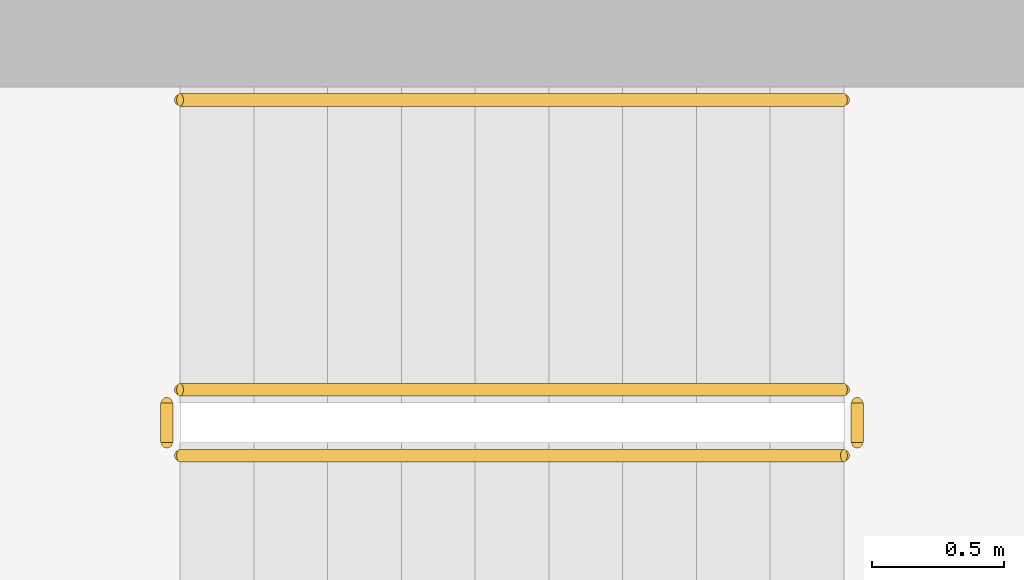
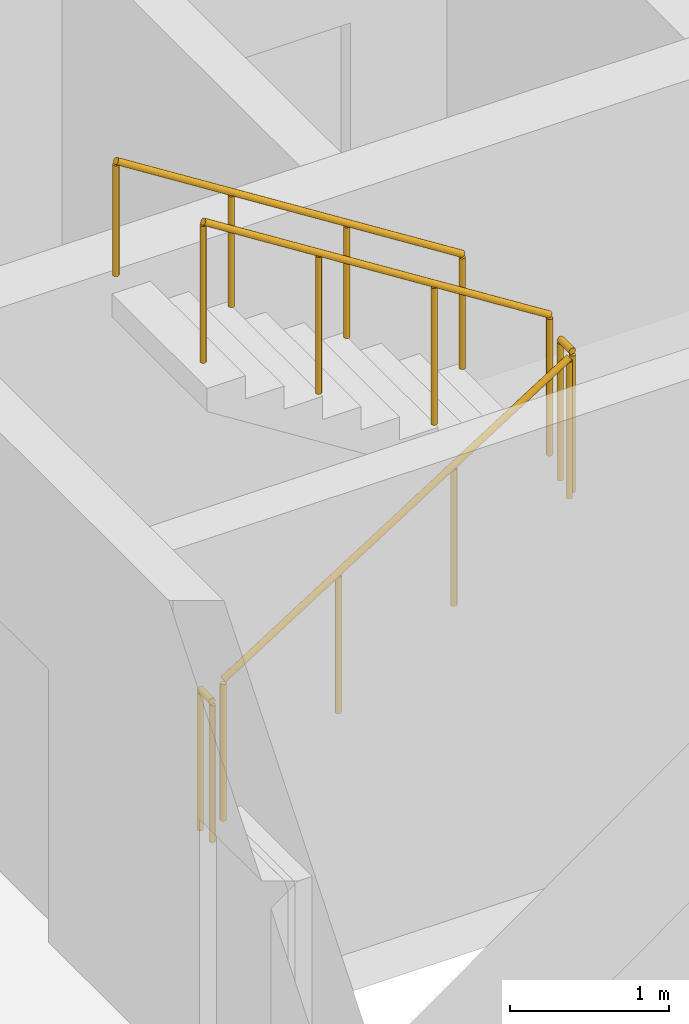
# One storey, part 12 of 14: 5 railings.
"""IFC4 building model written with IfcOpenShell, lengths in metres."""

from ifc_helpers import new_model, si_unit, direction, frame, origin, origin_2d, place, context, subcontext, project, spatial, circle, extrude, material, type_object, element, save


model = new_model("IFC4")

# Units and contexts
model_context = context("Model", 3, precision=1e-05, world=origin(), true_north=direction((0.0, 1.0)))
body_context = subcontext(model_context, "Body", "Model", "MODEL_VIEW")
ifc_project = project(units=[si_unit("LENGTHUNIT", "METRE"), si_unit("AREAUNIT", "SQUARE_METRE"), si_unit("VOLUMEUNIT", "CUBIC_METRE"), si_unit("PLANEANGLEUNIT", "RADIAN"), si_unit("MASSUNIT", "GRAM", prefix="KILO")], contexts=[model_context])

# Site, building, storey
site_placement = place(None, origin())
site = spatial("IfcSite", under=ifc_project, at=site_placement, CompositionType="ELEMENT")
building_placement = place(site_placement, origin())
building = spatial("IfcBuilding", under=site, at=building_placement, Name="Ostrand Prow Hotel Tower", CompositionType="ELEMENT")
storey_placement = place(building_placement, frame((0.0, 0.0, 299.85009765625)))
storey = spatial("IfcBuildingStorey", under=building, at=storey_placement, Name="L76", CompositionType="ELEMENT", Elevation=299.85009765625)

# Railings
ifc_material_1 = material(Name="Painted steel", Category="steel")
railing_type_1 = type_object("IfcRailingType", Name="Stair guard 1100", PredefinedType="GUARDRAIL", material=ifc_material_1)
railing_1_placement = place(storey_placement, frame((57.199951171875, -11.75, 0.177490234375)))
element("IfcRailing", 1, at=railing_1_placement, inside=storey, type_object=railing_type_1, Name="L76 ST2C stair guard 1", PredefinedType="GUARDRAIL", context=body_context, shape_type="SweptSolid", body=[
    extrude(circle(Radius=0.02392578125, at=origin_2d()), frame((0.0, 0.0, 1.076171875), z_axis=(0.84460694969, 0.0, 0.535386869969), x_axis=(0.0, 1.0, 0.0)), (0.0, 0.0, 1.0), 2.983642578125),
    extrude(circle(Radius=0.02099609375, at=origin_2d()), origin(), (0.0, 0.0, 1.0), 1.052001953125),
    extrude(circle(Radius=0.02099609375, at=origin_2d()), frame((0.840087890625, 0.0, 0.532470703125)), (0.0, 0.0, 1.0), 1.052001953125),
    extrude(circle(Radius=0.02099609375, at=origin_2d()), frame((1.679931640625, 0.0, 1.06494140625)), (0.0, 0.0, 1.0), 1.052001953125),
    extrude(circle(Radius=0.02099609375, at=origin_2d()), frame((2.52001953125, 0.0, 1.597412109375)), (0.0, 0.0, 1.0), 1.052001953125),
])
railing_2_placement = place(storey_placement, frame((59.77001953125, -11.699951171875, 1.77490234375)))
element("IfcRailing", 2, at=railing_2_placement, inside=storey, type_object=railing_type_1, Name="L76 ST2C stair guard 2", PredefinedType="GUARDRAIL", context=body_context, shape_type="SweptSolid", body=[
    extrude(circle(Radius=0.02392578125, at=origin_2d()), frame((0.0, 0.0, 1.076171875), z_axis=(0.0, 1.0, 0.0), x_axis=(-1.0, 0.0, 0.0)), (0.0, 0.0, 1.0), 0.14990234375),
    extrude(circle(Radius=0.02099609375, at=origin_2d()), origin(), (0.0, 0.0, 1.0), 1.052001953125),
    extrude(circle(Radius=0.02099609375, at=origin_2d()), frame((0.0, 0.14990234375, 0.0)), (0.0, 0.0, 1.0), 1.052001953125),
])
railing_3_placement = place(storey_placement, frame((59.719970703125, -11.5, 1.952392578125)))
element("IfcRailing", 3, at=railing_3_placement, inside=storey, type_object=railing_type_1, Name="L76 ST2C stair guard 3", PredefinedType="GUARDRAIL", context=body_context, shape_type="SweptSolid", body=[
    extrude(circle(Radius=0.02392578125, at=origin_2d()), frame((0.0, 0.0, 1.076171875), z_axis=(-0.84460694969, 0.0, 0.535386869969), x_axis=(0.0, -1.0, 0.0)), (0.0, 0.0, 1.0), 2.983642578125),
    extrude(circle(Radius=0.02099609375, at=origin_2d()), origin(), (0.0, 0.0, 1.0), 1.052001953125),
    extrude(circle(Radius=0.02099609375, at=origin_2d()), frame((-0.840087890625, 0.0, 0.532470703125)), (0.0, 0.0, 1.0), 1.052001953125),
    extrude(circle(Radius=0.02099609375, at=origin_2d()), frame((-1.679931640625, 0.0, 1.06494140625)), (0.0, 0.0, 1.0), 1.052001953125),
    extrude(circle(Radius=0.02099609375, at=origin_2d()), frame((-2.52001953125, 0.0, 1.597412109375)), (0.0, 0.0, 1.0), 1.052001953125),
])
railing_4_placement = place(storey_placement, frame((57.14990234375, -11.699951171875, 0.0)))
element("IfcRailing", 4, at=railing_4_placement, inside=storey, type_object=railing_type_1, Name="L76 ST2C stair guard 4", PredefinedType="GUARDRAIL", context=body_context, shape_type="SweptSolid", body=[
    extrude(circle(Radius=0.02392578125, at=origin_2d()), frame((0.0, 0.0, 1.076171875), z_axis=(0.0, 1.0, 0.0), x_axis=(-1.0, 0.0, 0.0)), (0.0, 0.0, 1.0), 0.14990234375),
    extrude(circle(Radius=0.02099609375, at=origin_2d()), origin(), (0.0, 0.0, 1.0), 1.052001953125),
    extrude(circle(Radius=0.02099609375, at=origin_2d()), frame((0.0, 0.14990234375, 0.0)), (0.0, 0.0, 1.0), 1.052001953125),
])
ifc_material_2 = material(Name="Stainless steel", Category="steel")
railing_type_2 = type_object("IfcRailingType", Name="Stair handrail 900", PredefinedType="HANDRAIL", material=ifc_material_2)
railing_5_placement = place(storey_placement, frame((59.719970703125, -10.39990234375, 1.952392578125)))
element("IfcRailing", 5, at=railing_5_placement, inside=storey, type_object=railing_type_2, Name="L76 ST2C stair handrail 2", PredefinedType="HANDRAIL", context=body_context, shape_type="SweptSolid", body=[
    extrude(circle(Radius=0.02392578125, at=origin_2d()), frame((0.0, 0.0, 0.8759765625), z_axis=(-0.84460694969, 0.0, 0.535386869969), x_axis=(0.0, -1.0, 0.0)), (0.0, 0.0, 1.0), 2.983642578125),
    extrude(circle(Radius=0.02099609375, at=origin_2d()), origin(), (0.0, 0.0, 1.0), 0.851806640625),
    extrude(circle(Radius=0.02099609375, at=origin_2d()), frame((-0.840087890625, 0.0, 0.532470703125)), (0.0, 0.0, 1.0), 0.851806640625),
    extrude(circle(Radius=0.02099609375, at=origin_2d()), frame((-1.679931640625, 0.0, 1.06494140625)), (0.0, 0.0, 1.0), 0.851806640625),
    extrude(circle(Radius=0.02099609375, at=origin_2d()), frame((-2.52001953125, 0.0, 1.597412109375)), (0.0, 0.0, 1.0), 0.851806640625),
])

save(model, "model.ifc")
